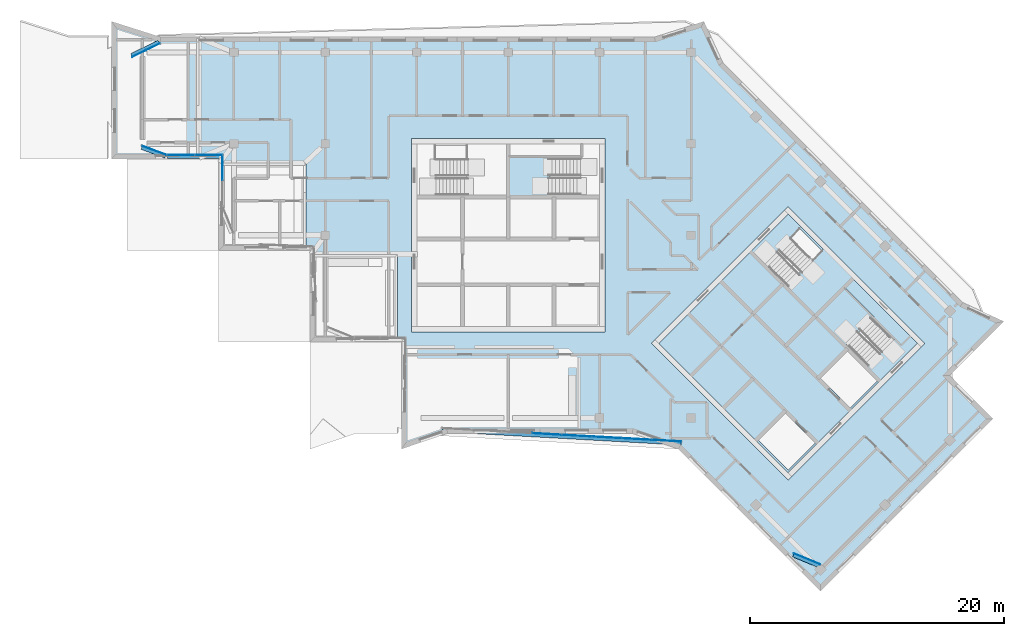
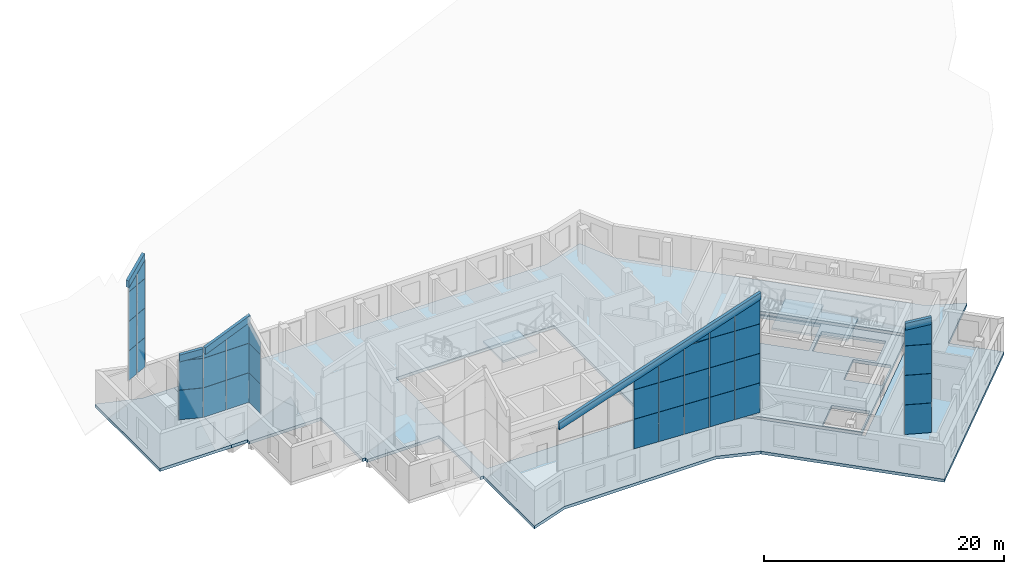
# One storey, part 10 of 20: 47 plates, 6 slabs, 6 openings, 9 elements without a shape of their own.
"""IFC4 building model written with IfcOpenShell, lengths in metres."""

from ifc_helpers import new_model, si_unit, direction, frame, origin, place, context, subcontext, project, spatial, polyline, outline, extrude, material, layer, layer_set, type_object, element, aggregate, save


model = new_model("IFC4")

# Units and contexts
model_context = context("Model", 3, precision=1e-05, world=origin(), true_north=direction((0.0, 1.0)))
body_context = subcontext(model_context, "Body", "Model", "MODEL_VIEW")
ifc_project = project(units=[si_unit("LENGTHUNIT", "METRE"), si_unit("AREAUNIT", "SQUARE_METRE"), si_unit("VOLUMEUNIT", "CUBIC_METRE"), si_unit("PLANEANGLEUNIT", "RADIAN"), si_unit("MASSUNIT", "GRAM", prefix="KILO")], contexts=[model_context])

# Site, building, storey
site_placement = place(None, origin())
site = spatial("IfcSite", under=ifc_project, at=site_placement, CompositionType="ELEMENT")
building_placement = place(site_placement, origin())
building = spatial("IfcBuilding", under=site, at=building_placement, Name="Windrow Commons", CompositionType="ELEMENT")
storey_placement = place(building_placement, frame((0.0, 0.0, 290.6)))
storey = spatial("IfcBuildingStorey", under=building, at=storey_placement, Name="L79", CompositionType="ELEMENT", Elevation=290.6)

# Slab, openings
ifc_material_1 = material(Name="Concrete C40/50", Category="concrete")
ifc_layer_1 = layer(ifc_material_1, 0.3)
ifc_layer_set_1 = layer_set([ifc_layer_1], Name="CORE FLOOR SLAB 300 C40/50")
slab_type_1 = type_object("IfcSlabType", Name="CORE FLOOR SLAB 300 C40/50", PredefinedType="FLOOR", material=ifc_layer_set_1)
placement_1 = place(storey_placement, frame((0.0, 0.0, -0.3)))
slab_1 = element("IfcSlab", 1, at=placement_1, inside=storey, type_object=slab_type_1, Name="S-L79-core-B", PredefinedType="FLOOR", context=body_context, shape_type="SweptSolid", body=[
    extrude(outline(polyline([(76.6544, 49.0897), (86.8368, 38.9074), (97.0191, 49.0897), (86.8368, 59.2721), (76.6544, 49.0897)]), holes=[polyline([(84.5033, 41.453), (86.8368, 39.1195), (88.9581, 41.2409), (86.6246, 43.5743), (84.5033, 41.453)]), polyline([(89.3823, 46.332), (91.7158, 43.9986), (93.8371, 46.1199), (91.5037, 48.4533), (89.3823, 46.332)]), polyline([(85.0336, 55.3476), (88.9581, 51.4232), (91.7158, 54.1809), (87.7913, 58.1054), (85.0336, 55.3476)]), polyline([(89.1702, 51.2111), (93.0946, 47.2866), (95.1841, 49.3761), (91.2597, 53.3006), (89.1702, 51.2111)])]), origin(), (0.0, 0.0, 1.0), 0.3),
])
opening_1_placement = place(placement_1, origin())
element("IfcOpeningElement", 2, at=opening_1_placement, cuts=slab_1, Name="Slab opening S-L79-core-B 1", PredefinedType="OPENING", context=body_context, shape_type="SweptSolid", body=[
    extrude(outline(polyline([(84.5104, 41.453), (86.6246, 43.5672), (88.951, 41.2409), (86.8368, 39.1266), (84.5104, 41.453)])), origin(), (0.0, 0.0, 1.0), 0.3),
])
opening_2_placement = place(placement_1, origin())
element("IfcOpeningElement", 3, at=opening_2_placement, cuts=slab_1, Name="Slab opening S-L79-core-B 2", PredefinedType="OPENING", context=body_context, shape_type="SweptSolid", body=[
    extrude(outline(polyline([(89.3894, 46.332), (91.5037, 48.4462), (93.83, 46.1199), (91.7158, 44.0057), (89.3894, 46.332)])), origin(), (0.0, 0.0, 1.0), 0.3),
])
opening_3_placement = place(placement_1, origin())
element("IfcOpeningElement", 4, at=opening_3_placement, cuts=slab_1, Name="Slab opening S-L79-core-B 3", PredefinedType="OPENING", context=body_context, shape_type="SweptSolid", body=[
    extrude(outline(polyline([(85.0407, 55.3476), (87.7913, 58.0983), (91.7087, 54.1809), (88.9581, 51.4303), (85.0407, 55.3476)])), origin(), (0.0, 0.0, 1.0), 0.3),
])
opening_4_placement = place(placement_1, origin())
element("IfcOpeningElement", 5, at=opening_4_placement, cuts=slab_1, Name="Slab opening S-L79-core-B 4", PredefinedType="OPENING", context=body_context, shape_type="SweptSolid", body=[
    extrude(outline(polyline([(89.1773, 51.2111), (91.2597, 53.2935), (95.177, 49.3761), (93.0946, 47.2937), (89.1773, 51.2111)])), origin(), (0.0, 0.0, 1.0), 0.3),
])

# Stair, slab
ifc_material_2 = material(Name="Concrete C40/50", Category="concrete")
stair_type = type_object("IfcStairType", Name="Core stair", PredefinedType="HALF_TURN_STAIR", material=ifc_material_2)
placement_2 = place(storey_placement, origin())
stair_1 = element("IfcStair", 6, at=placement_2, inside=storey, type_object=stair_type, Name="L79 Exit stair A2 core A", PredefinedType="HALF_TURN_STAIR")
ifc_material_3 = material(Name="Concrete C40/50", Category="concrete")
ifc_layer_2 = layer(ifc_material_3, 0.2)
ifc_layer_set_2 = layer_set([ifc_layer_2], Name="Core stair landing")
slab_type_2 = type_object("IfcSlabType", Name="Core stair landing", PredefinedType="LANDING", material=ifc_layer_set_2)
placement_3 = place(storey_placement, frame((0.0, 0.0, 1.7)))
slab_2 = element("IfcSlab", 7, at=placement_3, type_object=slab_type_2, Name="ST-A2 landing 1", PredefinedType="LANDING", context=body_context, shape_type="SweptSolid", body=[
    extrude(outline(polyline([(64.8, 60.5), (68.1, 60.5), (68.1, 63.855), (64.8, 63.855), (64.8, 60.5)])), origin(), (0.0, 0.0, 1.0), 0.2),
])
aggregate(stair_1, [slab_2])

stair_2 = element("IfcStair", 8, at=placement_2, inside=storey, type_object=stair_type, Name="L79 Exit stair B1 core B", PredefinedType="HALF_TURN_STAIR")
slab_3 = element("IfcSlab", 9, at=placement_3, type_object=slab_type_2, Name="ST-B1 landing 1", PredefinedType="LANDING", context=body_context, shape_type="SweptSolid", body=[
    extrude(outline(polyline([(86.5539, 53.4738), (88.8874, 51.1403), (91.9986, 54.2516), (89.6652, 56.5851), (86.5539, 53.4738)])), origin(), (0.0, 0.0, 1.0), 0.2),
])
aggregate(stair_2, [slab_3])

stair_3 = element("IfcStair", 10, at=placement_2, inside=storey, type_object=stair_type, Name="L79 Exit stair B2 core B", PredefinedType="HALF_TURN_STAIR")
slab_4 = element("IfcSlab", 11, at=placement_3, type_object=slab_type_2, Name="ST-B2 landing 1", PredefinedType="LANDING", context=body_context, shape_type="SweptSolid", body=[
    extrude(outline(polyline([(88.8874, 51.1403), (91.2208, 48.8069), (93.5931, 51.1792), (91.2597, 53.5127), (88.8874, 51.1403)])), origin(), (0.0, 0.0, 1.0), 0.2),
])
aggregate(stair_3, [slab_4])

# Plates
ifc_material_4 = material(Name="Precast concrete C40/50", Category="concrete")
ifc_layer_3 = layer(ifc_material_4, 0.3)
ifc_layer_set_3 = layer_set([ifc_layer_3], Name="Crown eave fascia 300")
plate_type_1 = type_object("IfcPlateType", Name="Crown eave fascia 300", PredefinedType="SHEET", material=ifc_layer_set_3)
plate_1_placement = place(storey_placement, frame((37.8664, 63.9474, 9.9816), z_axis=(0.3471096926, 0.9378245365, 0.0), x_axis=(-0.9173716449, 0.3395396231, -0.2077067875)))
element("IfcPlate", 12, at=plate_1_placement, inside=storey, type_object=plate_type_1, Name="Crown eave fascia", PredefinedType="SHEET", context=body_context, shape_type="SweptSolid", body=[
    extrude(outline(polyline([(0.0, 0.0), (2.0336, 0.0), (1.8882, 0.6847), (-0.1454, 0.6847), (0.0, 0.0)])), origin(), (0.0, 0.0, -1.0), 0.3),
])
plate_2_placement = place(storey_placement, frame((35.2219, 71.6349, 12.9164), z_axis=(0.4355046396, -0.9001864856, 0.0), x_axis=(0.7689475179, 0.3720120409, 0.5199295685)))
element("IfcPlate", 13, at=plate_2_placement, inside=storey, type_object=plate_type_1, Name="Crown eave fascia", PredefinedType="SHEET", context=body_context, shape_type="SweptSolid", body=[
    extrude(outline(polyline([(0.0, 0.0), (2.7725, 0.0), (3.1364, 0.5979), (0.364, 0.5979), (0.0, 0.0)])), origin(), (0.0, 0.0, -1.0), 0.3),
])
plate_3_placement = place(storey_placement, frame((89.3361, 31.7136, 14.6914), z_axis=(0.3826477122, 0.9238943275, 0.0), x_axis=(-0.9080283256, 0.3760765177, -0.184529165)))
element("IfcPlate", 14, at=plate_3_placement, inside=storey, type_object=plate_type_1, Name="Crown eave fascia", PredefinedType="SHEET", context=body_context, shape_type="SweptSolid", body=[
    extrude(outline(polyline([(0.0, 0.0), (2.237, 0.0), (2.1079, 0.688), (-0.1292, 0.688), (0.0, 0.0)])), origin(), (0.0, 0.0, -1.0), 0.3),
])
plate_4_placement = place(storey_placement, frame((78.41, 41.3756, 15.1765), z_axis=(0.0557613405, 0.9984441261, 0.0), x_axis=(-0.9297846643, 0.0519268308, -0.3644229442)))
element("IfcPlate", 15, at=plate_4_placement, inside=storey, type_object=plate_type_1, Name="Crown eave fascia", PredefinedType="SHEET", context=body_context, shape_type="SweptSolid", body=[
    extrude(outline(polyline([(0.0, 0.0), (20.2111, 0.0), (19.956, 0.6519), (-0.2551, 0.6519), (0.0, 0.0)])), origin(), (0.0, 0.0, -1.0), 0.3),
])
plate_5_placement = place(storey_placement, frame((42.28, 63.93, 11.8322), z_axis=(0.0, 1.0, 0.0), x_axis=(-0.9215328722, 0.0, -0.3883003547)))
element("IfcPlate", 16, at=plate_5_placement, inside=storey, type_object=plate_type_1, Name="Crown eave fascia", PredefinedType="SHEET", context=body_context, shape_type="SweptSolid", body=[
    extrude(outline(polyline([(0.0, 0.0), (4.6843, 0.0), (4.4125, 0.6451), (-0.2718, 0.6451), (0.0, 0.0)])), origin(), (0.0, 0.0, -1.0), 0.3),
])

# Curtain wall, plates
ifc_material_5 = material(Name="Laminated glass in anodised aluminium frame", Category="aluminium")
curtain_wall_type = type_object("IfcCurtainWallType", Name="Curtain wall crown terrace screen", PredefinedType="USERDEFINED", material=ifc_material_5)
curtain_wall_1 = element("IfcCurtainWall", 17, at=placement_2, inside=storey, type_object=curtain_wall_type, Name="Glazed crown screen L79", ObjectType="STICK", PredefinedType="USERDEFINED")
ifc_material_6 = material(Name="Laminated glass in aluminium frame", Category="aluminium")
ifc_layer_4 = layer(ifc_material_6, 0.03)
ifc_layer_set_4 = layer_set([ifc_layer_4], Name="Crown screen glazing 2400")
plate_type_2 = type_object("IfcPlateType", Name="Crown screen glazing 2400", PredefinedType="SHEET", material=ifc_layer_set_4)
plate_6_placement = place(storey_placement, frame((37.8852, 63.9404, 3.5), z_axis=(0.3471185416, 0.9378212613, 0.0), x_axis=(-0.9378212613, 0.3471185416, 0.0)))
plate_6 = element("IfcPlate", 18, at=plate_6_placement, type_object=plate_type_2, Name="Crown screen glazing L79", PredefinedType="SHEET", context=body_context, shape_type="SweptSolid", body=[
    extrude(outline(polyline([(0.0, 0.0), (2.0293, 0.0), (2.0293, 3.0), (0.0, 3.0), (0.0, 0.0)])), origin(), (0.0, 0.0, -1.0), 0.03),
])
plate_7_placement = place(storey_placement, frame((37.8852, 63.9404, 6.52), z_axis=(0.3471185416, 0.9378212613, 0.0), x_axis=(-0.9378212613, 0.3471185416, 0.0)))
plate_7 = element("IfcPlate", 19, at=plate_7_placement, type_object=plate_type_2, Name="Crown screen glazing L79", PredefinedType="SHEET", context=body_context, shape_type="SweptSolid", body=[
    extrude(outline(polyline([(0.0, 0.0), (2.0293, 0.0), (2.0293, 2.98), (0.0, 2.98), (0.0, 0.0)])), origin(), (0.0, 0.0, -1.0), 0.03),
])
plate_8_placement = place(storey_placement, frame((37.8852, 63.9404, 9.52), z_axis=(0.3471185416, 0.9378212613, 0.0), x_axis=(-0.9378212613, 0.3471185416, 0.0)))
plate_8 = element("IfcPlate", 20, at=plate_8_placement, type_object=plate_type_2, Name="Crown screen glazing L79", PredefinedType="SHEET", context=body_context, shape_type="SweptSolid", body=[
    extrude(outline(polyline([(0.0, 0.0), (2.0293, 0.0), (0.0, 0.4522), (0.0, 0.0)])), origin(), (0.0, 0.0, -1.0), 0.03),
])
aggregate(curtain_wall_1, [plate_6, plate_7, plate_8])

curtain_wall_2 = element("IfcCurtainWall", 21, at=placement_2, inside=storey, type_object=curtain_wall_type, Name="Glazed crown screen L79", ObjectType="STICK", PredefinedType="USERDEFINED")
plate_9_placement = place(storey_placement, frame((35.2039, 71.6262, 3.5), z_axis=(0.4354562982, -0.9002098713, 0.0), x_axis=(0.9002098713, 0.4354562982, 0.0)))
plate_9 = element("IfcPlate", 22, at=plate_9_placement, type_object=plate_type_2, Name="Crown screen glazing L79", PredefinedType="SHEET", context=body_context, shape_type="SweptSolid", body=[
    extrude(outline(polyline([(0.0, 0.0), (1.1742, 0.0), (1.1742, 3.0), (0.0, 3.0), (0.0, 0.0)])), origin(), (0.0, 0.0, -1.0), 0.03),
])
plate_10_placement = place(storey_placement, frame((35.2039, 71.6262, 6.52), z_axis=(0.4354562982, -0.9002098713, 0.0), x_axis=(0.9002098713, 0.4354562982, 0.0)))
plate_10 = element("IfcPlate", 23, at=plate_10_placement, type_object=plate_type_2, Name="Crown screen glazing L79", PredefinedType="SHEET", context=body_context, shape_type="SweptSolid", body=[
    extrude(outline(polyline([(0.0, 0.0), (1.1742, 0.0), (1.1742, 2.98), (0.0, 2.98), (0.0, 0.0)])), origin(), (0.0, 0.0, -1.0), 0.03),
])
plate_11_placement = place(storey_placement, frame((35.2039, 71.6262, 9.52), z_axis=(0.4354562982, -0.9002098713, 0.0), x_axis=(0.9002098713, 0.4354562982, 0.0)))
plate_11 = element("IfcPlate", 24, at=plate_11_placement, type_object=plate_type_2, Name="Crown screen glazing L79", PredefinedType="SHEET", context=body_context, shape_type="SweptSolid", body=[
    extrude(outline(polyline([(0.0, 0.0), (1.1742, 0.0), (1.1742, 2.98), (0.0, 2.98), (0.0, 0.0)])), origin(), (0.0, 0.0, -1.0), 0.03),
])
plate_12_placement = place(storey_placement, frame((35.2039, 71.6262, 12.52), z_axis=(0.4354562982, -0.9002098713, 0.0), x_axis=(0.9002098713, 0.4354562982, 0.0)))
plate_12 = element("IfcPlate", 25, at=plate_12_placement, type_object=plate_type_2, Name="Crown screen glazing L79", PredefinedType="SHEET", context=body_context, shape_type="SweptSolid", body=[
    extrude(outline(polyline([(0.0, 0.0), (1.1742, 0.0), (1.1742, 1.0971), (0.0, 0.3459), (0.0, 0.0)])), origin(), (0.0, 0.0, -1.0), 0.03),
])
plate_13_placement = place(storey_placement, frame((36.3149, 72.1637, 3.5), z_axis=(0.4354896859, -0.90019372, 0.0), x_axis=(0.90019372, 0.4354896859, 0.0)))
plate_13 = element("IfcPlate", 26, at=plate_13_placement, type_object=plate_type_2, Name="Crown screen glazing L79", PredefinedType="SHEET", context=body_context, shape_type="SweptSolid", body=[
    extrude(outline(polyline([(0.0, 0.0), (1.1741, 0.0), (1.1741, 3.0), (0.0, 3.0), (0.0, 0.0)])), origin(), (0.0, 0.0, -1.0), 0.03),
])
plate_14_placement = place(storey_placement, frame((36.3149, 72.1637, 6.52), z_axis=(0.4354896859, -0.90019372, 0.0), x_axis=(0.90019372, 0.4354896859, 0.0)))
plate_14 = element("IfcPlate", 27, at=plate_14_placement, type_object=plate_type_2, Name="Crown screen glazing L79", PredefinedType="SHEET", context=body_context, shape_type="SweptSolid", body=[
    extrude(outline(polyline([(0.0, 0.0), (1.1741, 0.0), (1.1741, 2.98), (0.0, 2.98), (0.0, 0.0)])), origin(), (0.0, 0.0, -1.0), 0.03),
])
plate_15_placement = place(storey_placement, frame((36.3149, 72.1637, 9.52), z_axis=(0.4354896859, -0.90019372, 0.0), x_axis=(0.90019372, 0.4354896859, 0.0)))
plate_15 = element("IfcPlate", 28, at=plate_15_placement, type_object=plate_type_2, Name="Crown screen glazing L79", PredefinedType="SHEET", context=body_context, shape_type="SweptSolid", body=[
    extrude(outline(polyline([(0.0, 0.0), (1.1741, 0.0), (1.1741, 2.98), (0.0, 2.98), (0.0, 0.0)])), origin(), (0.0, 0.0, -1.0), 0.03),
])
plate_16_placement = place(storey_placement, frame((36.3149, 72.1637, 12.52), z_axis=(0.4354896859, -0.90019372, 0.0), x_axis=(0.90019372, 0.4354896859, 0.0)))
plate_16 = element("IfcPlate", 29, at=plate_16_placement, type_object=plate_type_2, Name="Crown screen glazing L79", PredefinedType="SHEET", context=body_context, shape_type="SweptSolid", body=[
    extrude(outline(polyline([(0.0, 0.0), (1.1741, 0.0), (1.1741, 1.8484), (0.0, 1.0971), (0.0, 0.0)])), origin(), (0.0, 0.0, -1.0), 0.03),
])
aggregate(curtain_wall_2, [plate_9, plate_10, plate_11, plate_12, plate_13, plate_14, plate_15, plate_16])

curtain_wall_3 = element("IfcCurtainWall", 30, at=placement_2, inside=storey, type_object=curtain_wall_type, Name="Glazed crown screen L79", ObjectType="STICK", PredefinedType="USERDEFINED")
plate_17_placement = place(storey_placement, frame((89.3546, 31.7059, 3.5), z_axis=(0.3826923965, 0.9238758194, 0.0), x_axis=(-0.9238758194, 0.3826923965, 0.0)))
plate_17 = element("IfcPlate", 31, at=plate_17_placement, type_object=plate_type_2, Name="Crown screen glazing L79", PredefinedType="SHEET", context=body_context, shape_type="SweptSolid", body=[
    extrude(outline(polyline([(0.0, 0.0), (2.2386, 0.0), (2.2386, 3.0), (0.0, 3.0), (0.0, 0.0)])), origin(), (0.0, 0.0, -1.0), 0.03),
])
plate_18_placement = place(storey_placement, frame((89.3546, 31.7059, 6.52), z_axis=(0.3826923965, 0.9238758194, 0.0), x_axis=(-0.9238758194, 0.3826923965, 0.0)))
plate_18 = element("IfcPlate", 32, at=plate_18_placement, type_object=plate_type_2, Name="Crown screen glazing L79", PredefinedType="SHEET", context=body_context, shape_type="SweptSolid", body=[
    extrude(outline(polyline([(0.0, 0.0), (2.2386, 0.0), (2.2386, 2.98), (0.0, 2.98), (0.0, 0.0)])), origin(), (0.0, 0.0, -1.0), 0.03),
])
plate_19_placement = place(storey_placement, frame((89.3546, 31.7059, 9.52), z_axis=(0.3826923965, 0.9238758194, 0.0), x_axis=(-0.9238758194, 0.3826923965, 0.0)))
plate_19 = element("IfcPlate", 33, at=plate_19_placement, type_object=plate_type_2, Name="Crown screen glazing L79", PredefinedType="SHEET", context=body_context, shape_type="SweptSolid", body=[
    extrude(outline(polyline([(0.0, 0.0), (2.2386, 0.0), (2.2386, 2.98), (0.0, 2.98), (0.0, 0.0)])), origin(), (0.0, 0.0, -1.0), 0.03),
])
plate_20_placement = place(storey_placement, frame((89.3546, 31.7059, 12.52), z_axis=(0.3826923965, 0.9238758194, 0.0), x_axis=(-0.9238758194, 0.3826923965, 0.0)))
plate_20 = element("IfcPlate", 34, at=plate_20_placement, type_object=plate_type_2, Name="Crown screen glazing L79", PredefinedType="SHEET", context=body_context, shape_type="SweptSolid", body=[
    extrude(outline(polyline([(0.0, 0.0), (2.2386, 0.0), (2.2386, 1.7292), (0.0, 2.1608), (0.0, 0.0)])), origin(), (0.0, 0.0, -1.0), 0.03),
])
aggregate(curtain_wall_3, [plate_17, plate_18, plate_19, plate_20])

curtain_wall_4 = element("IfcCurtainWall", 35, at=placement_2, inside=storey, type_object=curtain_wall_type, Name="Glazed crown screen L79", ObjectType="STICK", PredefinedType="USERDEFINED")
plate_21_placement = place(storey_placement, frame((78.4299, 41.3745, 3.5), z_axis=(0.0557463297, 0.9984449643, 0.0), x_axis=(-0.9984449643, 0.0557463297, 0.0)))
plate_21 = element("IfcPlate", 36, at=plate_21_placement, type_object=plate_type_2, Name="Crown screen glazing L79", PredefinedType="SHEET", context=body_context, shape_type="SweptSolid", body=[
    extrude(outline(polyline([(0.0, 0.0), (2.3051, 0.0), (2.3051, 3.0), (0.0, 3.0), (0.0, 0.0)])), origin(), (0.0, 0.0, -1.0), 0.03),
])
plate_22_placement = place(storey_placement, frame((78.4299, 41.3745, 6.52), z_axis=(0.0557463297, 0.9984449643, 0.0), x_axis=(-0.9984449643, 0.0557463297, 0.0)))
plate_22 = element("IfcPlate", 37, at=plate_22_placement, type_object=plate_type_2, Name="Crown screen glazing L79", PredefinedType="SHEET", context=body_context, shape_type="SweptSolid", body=[
    extrude(outline(polyline([(0.0, 0.0), (2.3051, 0.0), (2.3051, 2.98), (0.0, 2.98), (0.0, 0.0)])), origin(), (0.0, 0.0, -1.0), 0.03),
])
plate_23_placement = place(storey_placement, frame((78.4299, 41.3745, 9.52), z_axis=(0.0557463297, 0.9984449643, 0.0), x_axis=(-0.9984449643, 0.0557463297, 0.0)))
plate_23 = element("IfcPlate", 38, at=plate_23_placement, type_object=plate_type_2, Name="Crown screen glazing L79", PredefinedType="SHEET", context=body_context, shape_type="SweptSolid", body=[
    extrude(outline(polyline([(0.0, 0.0), (2.3051, 0.0), (2.3051, 2.98), (0.0, 2.98), (0.0, 0.0)])), origin(), (0.0, 0.0, -1.0), 0.03),
])
plate_24_placement = place(storey_placement, frame((78.4299, 41.3745, 12.52), z_axis=(0.0557463297, 0.9984449643, 0.0), x_axis=(-0.9984449643, 0.0557463297, 0.0)))
plate_24 = element("IfcPlate", 39, at=plate_24_placement, type_object=plate_type_2, Name="Crown screen glazing L79", PredefinedType="SHEET", context=body_context, shape_type="SweptSolid", body=[
    extrude(outline(polyline([(0.0, 0.0), (2.3051, 0.0), (2.3051, 1.7305), (0.0, 2.6561), (0.0, 0.0)])), origin(), (0.0, 0.0, -1.0), 0.03),
])
plate_25_placement = place(storey_placement, frame((76.0684, 41.5064, 3.5), z_axis=(0.0557463297, 0.9984449643, 0.0), x_axis=(-0.9984449643, 0.0557463297, 0.0)))
plate_25 = element("IfcPlate", 40, at=plate_25_placement, type_object=plate_type_2, Name="Crown screen glazing L79", PredefinedType="SHEET", context=body_context, shape_type="SweptSolid", body=[
    extrude(outline(polyline([(0.0, 0.0), (2.3051, 0.0), (2.3051, 3.0), (0.0, 3.0), (0.0, 0.0)])), origin(), (0.0, 0.0, -1.0), 0.03),
])
plate_26_placement = place(storey_placement, frame((76.0684, 41.5064, 6.52), z_axis=(0.0557463297, 0.9984449643, 0.0), x_axis=(-0.9984449643, 0.0557463297, 0.0)))
plate_26 = element("IfcPlate", 41, at=plate_26_placement, type_object=plate_type_2, Name="Crown screen glazing L79", PredefinedType="SHEET", context=body_context, shape_type="SweptSolid", body=[
    extrude(outline(polyline([(0.0, 0.0), (2.3051, 0.0), (2.3051, 2.98), (0.0, 2.98), (0.0, 0.0)])), origin(), (0.0, 0.0, -1.0), 0.03),
])
plate_27_placement = place(storey_placement, frame((76.0684, 41.5064, 9.52), z_axis=(0.0557463297, 0.9984449643, 0.0), x_axis=(-0.9984449643, 0.0557463297, 0.0)))
plate_27 = element("IfcPlate", 42, at=plate_27_placement, type_object=plate_type_2, Name="Crown screen glazing L79", PredefinedType="SHEET", context=body_context, shape_type="SweptSolid", body=[
    extrude(outline(polyline([(0.0, 0.0), (2.3051, 0.0), (2.3051, 2.98), (0.0, 2.98), (0.0, 0.0)])), origin(), (0.0, 0.0, -1.0), 0.03),
])
plate_28_placement = place(storey_placement, frame((76.0684, 41.5064, 12.52), z_axis=(0.0557463297, 0.9984449643, 0.0), x_axis=(-0.9984449643, 0.0557463297, 0.0)))
plate_28 = element("IfcPlate", 43, at=plate_28_placement, type_object=plate_type_2, Name="Crown screen glazing L79", PredefinedType="SHEET", context=body_context, shape_type="SweptSolid", body=[
    extrude(outline(polyline([(0.0, 0.0), (2.3051, 0.0), (2.3051, 0.8049), (0.0, 1.7305), (0.0, 0.0)])), origin(), (0.0, 0.0, -1.0), 0.03),
])
plate_29_placement = place(storey_placement, frame((73.707, 41.6383, 3.5), z_axis=(0.0557439152, 0.9984450991, 0.0), x_axis=(-0.9984450991, 0.0557439152, 0.0)))
plate_29 = element("IfcPlate", 44, at=plate_29_placement, type_object=plate_type_2, Name="Crown screen glazing L79", PredefinedType="SHEET", context=body_context, shape_type="SweptSolid", body=[
    extrude(outline(polyline([(0.0, 0.0), (2.3052, 0.0), (2.3052, 3.0), (0.0, 3.0), (0.0, 0.0)])), origin(), (0.0, 0.0, -1.0), 0.03),
])
plate_30_placement = place(storey_placement, frame((73.707, 41.6383, 6.52), z_axis=(0.0557439152, 0.9984450991, 0.0), x_axis=(-0.9984450991, 0.0557439152, 0.0)))
plate_30 = element("IfcPlate", 45, at=plate_30_placement, type_object=plate_type_2, Name="Crown screen glazing L79", PredefinedType="SHEET", context=body_context, shape_type="SweptSolid", body=[
    extrude(outline(polyline([(0.0, 0.0), (2.3052, 0.0), (2.3052, 2.98), (0.0, 2.98), (0.0, 0.0)])), origin(), (0.0, 0.0, -1.0), 0.03),
])
plate_31_placement = place(storey_placement, frame((73.707, 41.6383, 9.52), z_axis=(0.0557439152, 0.9984450991, 0.0), x_axis=(-0.9984450991, 0.0557439152, 0.0)))
plate_31 = element("IfcPlate", 46, at=plate_31_placement, type_object=plate_type_2, Name="Crown screen glazing L79", PredefinedType="SHEET", context=body_context, shape_type="SweptSolid", body=[
    extrude(outline(polyline([(0.0, 0.0), (2.3052, 0.0), (2.3052, 2.8794), (0.0, 2.98), (0.0, 0.0)])), origin(), (0.0, 0.0, -1.0), 0.03),
])
plate_32_placement = place(storey_placement, frame((73.707, 41.6383, 12.52), z_axis=(0.0557439152, 0.9984450991, 0.0), x_axis=(-0.9984450991, 0.0557439152, 0.0)))
plate_32 = element("IfcPlate", 47, at=plate_32_placement, type_object=plate_type_2, Name="Crown screen glazing L79", PredefinedType="SHEET", context=body_context, shape_type="SweptSolid", body=[
    extrude(outline(polyline([(0.0, 0.0), (2.3052, 0.0), (0.0, 0.8049), (0.0, 0.0)])), origin(), (0.0, 0.0, -1.0), 0.03),
])
plate_33_placement = place(storey_placement, frame((71.3455, 41.7701, 3.5), z_axis=(0.0557871607, 0.9984426837, 0.0), x_axis=(-0.9984426837, 0.0557871607, 0.0)))
plate_33 = element("IfcPlate", 48, at=plate_33_placement, type_object=plate_type_2, Name="Crown screen glazing L79", PredefinedType="SHEET", context=body_context, shape_type="SweptSolid", body=[
    extrude(outline(polyline([(0.0, 0.0), (2.3052, 0.0), (2.3052, 3.0), (0.0, 3.0), (0.0, 0.0)])), origin(), (0.0, 0.0, -1.0), 0.03),
])
plate_34_placement = place(storey_placement, frame((71.3455, 41.7701, 6.52), z_axis=(0.0557871607, 0.9984426837, 0.0), x_axis=(-0.9984426837, 0.0557871607, 0.0)))
plate_34 = element("IfcPlate", 49, at=plate_34_placement, type_object=plate_type_2, Name="Crown screen glazing L79", PredefinedType="SHEET", context=body_context, shape_type="SweptSolid", body=[
    extrude(outline(polyline([(0.0, 0.0), (2.3052, 0.0), (2.3052, 2.98), (0.0, 2.98), (0.0, 0.0)])), origin(), (0.0, 0.0, -1.0), 0.03),
])
plate_35_placement = place(storey_placement, frame((71.3455, 41.7701, 9.52), z_axis=(0.0557871607, 0.9984426837, 0.0), x_axis=(-0.9984426837, 0.0557871607, 0.0)))
plate_35 = element("IfcPlate", 50, at=plate_35_placement, type_object=plate_type_2, Name="Crown screen glazing L79", PredefinedType="SHEET", context=body_context, shape_type="SweptSolid", body=[
    extrude(outline(polyline([(0.0, 0.0), (2.3052, 0.0), (2.3052, 1.9538), (0.0, 2.8794), (0.0, 0.0)])), origin(), (0.0, 0.0, -1.0), 0.03),
])
plate_36_placement = place(storey_placement, frame((68.984, 41.902, 3.5), z_axis=(0.0557463297, 0.9984449643, 0.0), x_axis=(-0.9984449643, 0.0557463297, 0.0)))
plate_36 = element("IfcPlate", 51, at=plate_36_placement, type_object=plate_type_2, Name="Crown screen glazing L79", PredefinedType="SHEET", context=body_context, shape_type="SweptSolid", body=[
    extrude(outline(polyline([(0.0, 0.0), (2.3051, 0.0), (2.3051, 3.0), (0.0, 3.0), (0.0, 0.0)])), origin(), (0.0, 0.0, -1.0), 0.03),
])
plate_37_placement = place(storey_placement, frame((68.984, 41.902, 6.52), z_axis=(0.0557463297, 0.9984449643, 0.0), x_axis=(-0.9984449643, 0.0557463297, 0.0)))
plate_37 = element("IfcPlate", 52, at=plate_37_placement, type_object=plate_type_2, Name="Crown screen glazing L79", PredefinedType="SHEET", context=body_context, shape_type="SweptSolid", body=[
    extrude(outline(polyline([(0.0, 0.0), (2.3051, 0.0), (2.3051, 2.98), (0.0, 2.98), (0.0, 0.0)])), origin(), (0.0, 0.0, -1.0), 0.03),
])
plate_38_placement = place(storey_placement, frame((68.984, 41.902, 9.52), z_axis=(0.0557463297, 0.9984449643, 0.0), x_axis=(-0.9984449643, 0.0557463297, 0.0)))
plate_38 = element("IfcPlate", 53, at=plate_38_placement, type_object=plate_type_2, Name="Crown screen glazing L79", PredefinedType="SHEET", context=body_context, shape_type="SweptSolid", body=[
    extrude(outline(polyline([(0.0, 0.0), (2.3051, 0.0), (2.3051, 1.0282), (0.0, 1.9538), (0.0, 0.0)])), origin(), (0.0, 0.0, -1.0), 0.03),
])
aggregate(curtain_wall_4, [plate_21, plate_22, plate_23, plate_24, plate_25, plate_26, plate_27, plate_28, plate_29, plate_30, plate_31, plate_32, plate_33, plate_34, plate_35, plate_36, plate_37, plate_38])

curtain_wall_5 = element("IfcCurtainWall", 54, at=placement_2, inside=storey, type_object=curtain_wall_type, Name="Glazed crown screen L79", ObjectType="STICK", PredefinedType="USERDEFINED")
plate_39_placement = place(storey_placement, frame((42.33, 61.936, 3.5), z_axis=(1.0, 0.0, 0.0), x_axis=(0.0, 1.0, 0.0)))
plate_39 = element("IfcPlate", 55, at=plate_39_placement, type_object=plate_type_2, Name="Crown screen glazing L79", PredefinedType="SHEET", context=body_context, shape_type="SweptSolid", body=[
    extrude(outline(polyline([(0.0, 0.0), (1.964, 0.0), (1.964, 3.0), (0.0, 3.0), (0.0, 0.0)])), origin(), (0.0, 0.0, -1.0), 0.03),
])
plate_40_placement = place(storey_placement, frame((42.33, 61.936, 6.52), z_axis=(1.0, 0.0, 0.0), x_axis=(0.0, 1.0, 0.0)))
plate_40 = element("IfcPlate", 56, at=plate_40_placement, type_object=plate_type_2, Name="Crown screen glazing L79", PredefinedType="SHEET", context=body_context, shape_type="SweptSolid", body=[
    extrude(outline(polyline([(0.0, 0.0), (1.964, 0.0), (1.964, 2.98), (0.0, 2.98), (0.0, 0.0)])), origin(), (0.0, 0.0, -1.0), 0.03),
])
plate_41_placement = place(storey_placement, frame((42.33, 61.936, 9.52), z_axis=(1.0, 0.0, 0.0), x_axis=(0.0, 1.0, 0.0)))
plate_41 = element("IfcPlate", 57, at=plate_41_placement, type_object=plate_type_2, Name="Crown screen glazing L79", PredefinedType="SHEET", context=body_context, shape_type="SweptSolid", body=[
    extrude(outline(polyline([(0.0, 0.0), (1.964, 0.0), (1.964, 2.3133), (0.0, 1.2472), (0.0, 0.0)])), origin(), (0.0, 0.0, -1.0), 0.03),
])
aggregate(curtain_wall_5, [plate_39, plate_40, plate_41])

curtain_wall_6 = element("IfcCurtainWall", 58, at=placement_2, inside=storey, type_object=curtain_wall_type, Name="Glazed crown screen L79", ObjectType="STICK", PredefinedType="USERDEFINED")
plate_42_placement = place(storey_placement, frame((42.3, 63.93, 3.5), z_axis=(0.0, 1.0, 0.0), x_axis=(-1.0, 0.0, 0.0)))
plate_42 = element("IfcPlate", 59, at=plate_42_placement, type_object=plate_type_2, Name="Crown screen glazing L79", PredefinedType="SHEET", context=body_context, shape_type="SweptSolid", body=[
    extrude(outline(polyline([(0.0, 0.0), (2.1483, 0.0), (2.1483, 3.0), (0.0, 3.0), (0.0, 0.0)])), origin(), (0.0, 0.0, -1.0), 0.03),
])
plate_43_placement = place(storey_placement, frame((42.3, 63.93, 6.52), z_axis=(0.0, 1.0, 0.0), x_axis=(-1.0, 0.0, 0.0)))
plate_43 = element("IfcPlate", 60, at=plate_43_placement, type_object=plate_type_2, Name="Crown screen glazing L79", PredefinedType="SHEET", context=body_context, shape_type="SweptSolid", body=[
    extrude(outline(polyline([(0.0, 0.0), (2.1483, 0.0), (2.1483, 2.98), (0.0, 2.98), (0.0, 0.0)])), origin(), (0.0, 0.0, -1.0), 0.03),
])
plate_44_placement = place(storey_placement, frame((42.3, 63.93, 9.52), z_axis=(0.0, 1.0, 0.0), x_axis=(-1.0, 0.0, 0.0)))
plate_44 = element("IfcPlate", 61, at=plate_44_placement, type_object=plate_type_2, Name="Crown screen glazing L79", PredefinedType="SHEET", context=body_context, shape_type="SweptSolid", body=[
    extrude(outline(polyline([(0.0, 0.0), (2.1483, 0.0), (2.1483, 1.3828), (0.0, 2.3133), (0.0, 0.0)])), origin(), (0.0, 0.0, -1.0), 0.03),
])
plate_45_placement = place(storey_placement, frame((40.0917, 63.93, 3.5), z_axis=(0.0, 1.0, 0.0), x_axis=(-1.0, 0.0, 0.0)))
plate_45 = element("IfcPlate", 62, at=plate_45_placement, type_object=plate_type_2, Name="Crown screen glazing L79", PredefinedType="SHEET", context=body_context, shape_type="SweptSolid", body=[
    extrude(outline(polyline([(0.0, 0.0), (2.1484, 0.0), (2.1484, 3.0), (0.0, 3.0), (0.0, 0.0)])), origin(), (0.0, 0.0, -1.0), 0.03),
])
plate_46_placement = place(storey_placement, frame((40.0917, 63.93, 6.52), z_axis=(0.0, 1.0, 0.0), x_axis=(-1.0, 0.0, 0.0)))
plate_46 = element("IfcPlate", 63, at=plate_46_placement, type_object=plate_type_2, Name="Crown screen glazing L79", PredefinedType="SHEET", context=body_context, shape_type="SweptSolid", body=[
    extrude(outline(polyline([(0.0, 0.0), (2.1484, 0.0), (2.1484, 2.98), (0.0, 2.98), (0.0, 0.0)])), origin(), (0.0, 0.0, -1.0), 0.03),
])
plate_47_placement = place(storey_placement, frame((40.0917, 63.93, 9.52), z_axis=(0.0, 1.0, 0.0), x_axis=(-1.0, 0.0, 0.0)))
plate_47 = element("IfcPlate", 64, at=plate_47_placement, type_object=plate_type_2, Name="Crown screen glazing L79", PredefinedType="SHEET", context=body_context, shape_type="SweptSolid", body=[
    extrude(outline(polyline([(0.0, 0.0), (2.1484, 0.0), (2.1484, 0.4522), (0.0, 1.3828), (0.0, 0.0)])), origin(), (0.0, 0.0, -1.0), 0.03),
])
aggregate(curtain_wall_6, [plate_42, plate_43, plate_44, plate_45, plate_46, plate_47])

# Slab, openings
ifc_material_7 = material(Name="Concrete C40/50", Category="concrete")
ifc_layer_5 = layer(ifc_material_7, 0.3)
ifc_layer_set_5 = layer_set([ifc_layer_5], Name="FLOOR SLAB 300 C40/50")
slab_type_3 = type_object("IfcSlabType", Name="FLOOR SLAB 300 C40/50", PredefinedType="FLOOR", material=ifc_layer_set_5)
slab_5 = element("IfcSlab", 65, at=placement_1, inside=storey, type_object=slab_type_3, Name="S-L79-floor", PredefinedType="FLOOR", context=body_context, shape_type="SweptSolid", body=[
    extrude(outline(polyline([(56.4, 49.2), (56.4, 40.767), (60.0315, 42.0), (74.5574, 42.0), (78.1889, 40.767), (89.3823, 29.5736), (102.9588, 43.15), (99.5647, 46.5442), (103.8285, 50.808), (100.5963, 52.3008), (91.1463, 61.7508), (86.4213, 66.4758), (81.6963, 71.2008), (80.2036, 74.433), (76.3172, 73.2), (40.467, 73.2), (40.467, 63.6), (42.0, 63.6), (42.0, 63.3), (48.9, 63.3), (48.9, 56.4), (49.2, 56.4), (49.2, 56.1), (56.1, 56.1), (56.1, 49.2), (56.4, 49.2)]), holes=[polyline([(86.8368, 38.3417), (76.0887, 49.0897), (86.8368, 59.8378), (97.5848, 49.0897), (86.8368, 38.3417)]), polyline([(72.4, 50.0), (57.2, 50.0), (57.2, 65.2), (72.4, 65.2), (72.4, 50.0)])]), origin(), (0.0, 0.0, 1.0), 0.3),
])
opening_5_placement = place(placement_1, origin())
element("IfcOpeningElement", 66, at=opening_5_placement, cuts=slab_5, Name="Slab opening S-L79-floor 1", PredefinedType="OPENING", context=body_context, shape_type="SweptSolid", body=[
    extrude(outline(polyline([(86.8368, 38.3488), (76.0958, 49.0897), (86.8368, 59.8307), (97.5777, 49.0897), (86.8368, 38.3488)])), origin(), (0.0, 0.0, 1.0), 0.3),
])
opening_6_placement = place(placement_1, origin())
element("IfcOpeningElement", 67, at=opening_6_placement, cuts=slab_5, Name="Slab opening S-L79-floor 2", PredefinedType="OPENING", context=body_context, shape_type="SweptSolid", body=[
    extrude(outline(polyline([(72.395, 50.005), (57.205, 50.005), (57.205, 65.195), (72.395, 65.195), (72.395, 50.005)])), origin(), (0.0, 0.0, 1.0), 0.3),
])

# Slab
ifc_material_8 = material(Name="Concrete C40/50", Category="concrete")
ifc_layer_6 = layer(ifc_material_8, 0.3)
ifc_layer_set_6 = layer_set([ifc_layer_6], Name="TERRACE SLAB 300 C40/50")
slab_type_4 = type_object("IfcSlabType", Name="TERRACE SLAB 300 C40/50", PredefinedType="FLOOR", material=ifc_layer_set_6)
element("IfcSlab", 68, at=placement_1, inside=storey, type_object=slab_type_4, Name="Terrace slab TR-L79-1", PredefinedType="FLOOR", context=body_context, shape_type="SweptSolid", body=[
    extrude(outline(polyline([(33.567, 74.433), (33.567, 63.6), (40.467, 63.6), (40.467, 73.2), (37.4534, 73.2), (33.567, 74.433)])), origin(), (0.0, 0.0, 1.0), 0.3),
])

save(model, "model.ifc")
